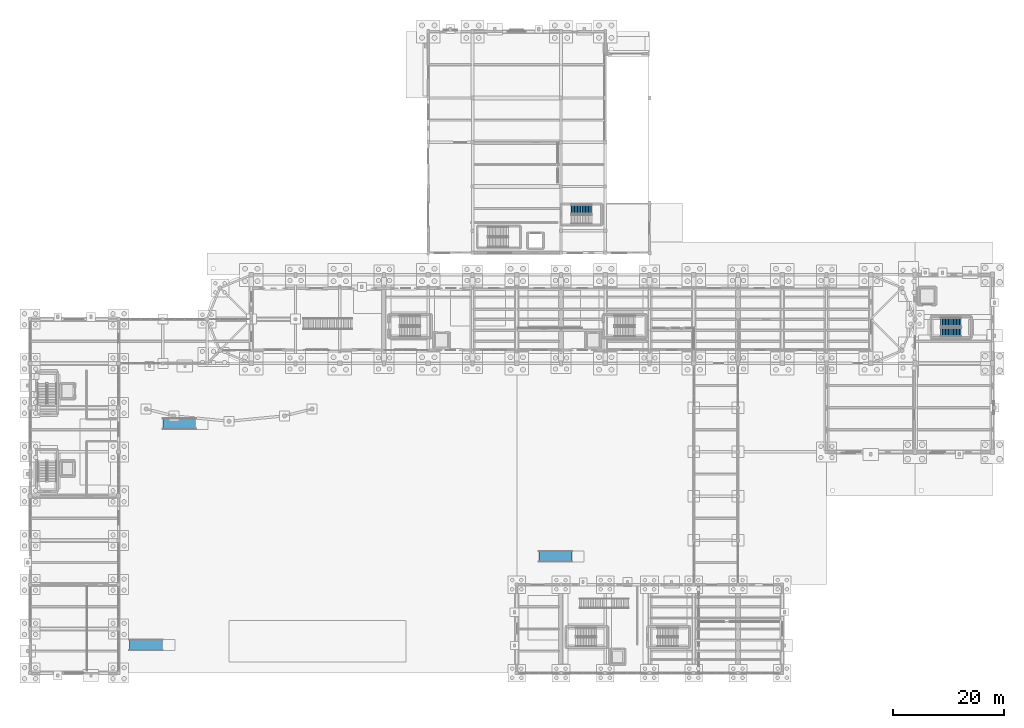
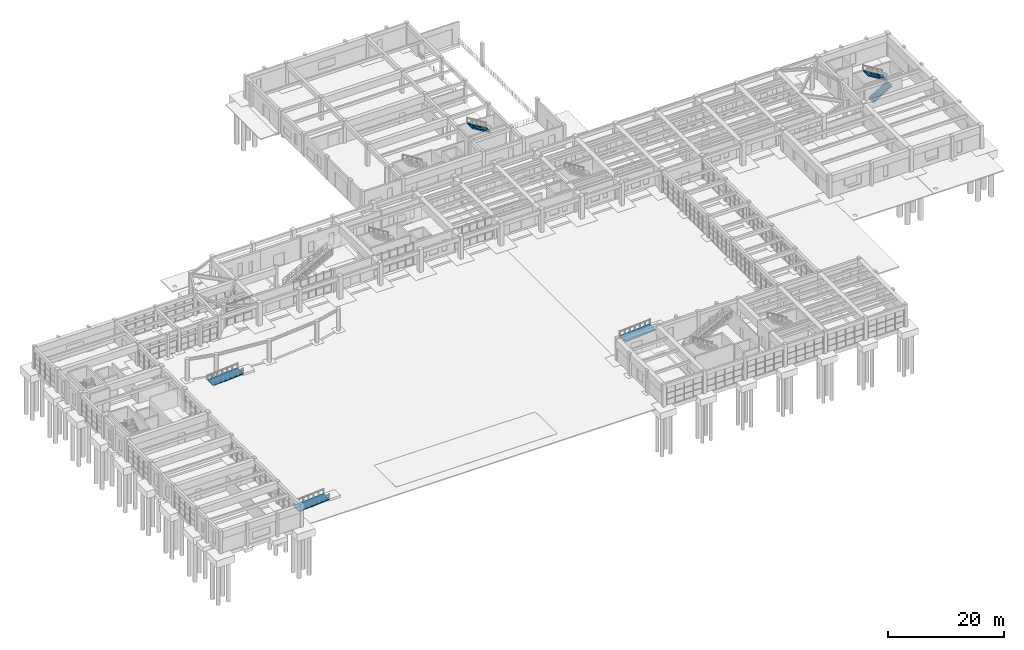
# One storey, part 56 of 68: 3 ramp flights, 3 stair flights, 5 elements without a shape of their own.
"""IFC4 building model written with IfcOpenShell, lengths in metres."""

from ifc_helpers import new_model, si_unit, direction, frame, origin, place, context, subcontext, project, spatial, polyline, outline, extrude, material, layer, layer_set, type_object, element, aggregate, save


model = new_model("IFC4")

# Units and contexts
model_context = context("Model", 3, precision=1e-05, world=origin(), true_north=direction((0.0, 1.0)))
body_context = subcontext(model_context, "Body", "Model", "MODEL_VIEW")
ifc_project = project(units=[si_unit("LENGTHUNIT", "METRE"), si_unit("AREAUNIT", "SQUARE_METRE"), si_unit("VOLUMEUNIT", "CUBIC_METRE"), si_unit("PLANEANGLEUNIT", "RADIAN"), si_unit("MASSUNIT", "GRAM", prefix="KILO")], contexts=[model_context])

# Site, building, storey
site_placement = place(None, origin())
site = spatial("IfcSite", under=ifc_project, at=site_placement, CompositionType="ELEMENT")
building_placement = place(site_placement, origin())
building = spatial("IfcBuilding", under=site, at=building_placement, Name="Serraluz Foothill Cableway Terminal", CompositionType="ELEMENT")
storey_placement = place(building_placement, origin())
storey = spatial("IfcBuildingStorey", under=building, at=storey_placement, Name="L00", CompositionType="ELEMENT", Elevation=0.0)

# Stair, stair flights
ifc_material_1 = material(Name="Concrete C35/45 (f'c 35 MPa)", Category="concrete")
stair_type = type_object("IfcStairType", Name="TYP-ST-DOG-166-48", PredefinedType="HALF_TURN_STAIR", material=ifc_material_1)
stair_1_placement = place(storey_placement, origin())
stair_1 = element("IfcStair", 1, at=stair_1_placement, inside=storey, type_object=stair_type, Name="L00 ST-05", PredefinedType="HALF_TURN_STAIR")
stair_flight_type = type_object("IfcStairFlightType", Name="TYP-FL-DOG-166-48", PredefinedType="STRAIGHT", material=ifc_material_1)
stair_flight_1_placement = place(storey_placement, frame((164.659912109375, 61.6298828125, 0.0), z_axis=(0.0, 0.0, 1.0), x_axis=(1.0, 0.0, 0.0)))
stair_flight_1 = element("IfcStairFlight", 2, at=stair_flight_1_placement, type_object=stair_flight_type, Name="ST-05 flight 1", NumberOfRisers=14, NumberOfTreads=13, PredefinedType="STRAIGHT", RiserHeight=0.171428571, TreadLength=0.285, context=body_context, shape_type="SweptSolid", body=[
    extrude(outline(polyline([(-0.02490234375, -0.06005859375), (-0.02490234375, 0.0), (0.0, 0.0), (0.0, 0.17138671875), (0.284912109375, 0.17138671875), (0.284912109375, 0.3427734375), (0.570068359375, 0.3427734375), (0.570068359375, 0.514404296875), (0.85498046875, 0.514404296875), (0.85498046875, 0.685791015625), (1.139892578125, 0.685791015625), (1.139892578125, 0.857177734375), (1.425048828125, 0.857177734375), (1.425048828125, 1.028564453125), (1.7099609375, 1.028564453125), (1.7099609375, 1.199951171875), (1.9951171875, 1.199951171875), (1.9951171875, 1.371337890625), (2.280029296875, 1.371337890625), (2.280029296875, 1.54296875), (2.56494140625, 1.54296875), (2.56494140625, 1.71435546875), (2.85009765625, 1.71435546875), (2.85009765625, 1.8857421875), (3.135009765625, 1.8857421875), (3.135009765625, 2.05712890625), (3.419921875, 2.05712890625), (3.419921875, 2.228515625), (3.705078125, 2.228515625), (3.705078125, 2.39990234375), (3.72998046875, 2.39990234375), (3.72998046875, 2.0537109375), (0.290771484375, -0.06005859375), (-0.02490234375, -0.06005859375)])), frame((0.0, 0.830078125, 0.0), z_axis=(0.0, -1.0, 0.0), x_axis=(1.0, 0.0, 0.0)), (0.0, 0.0, 1.0), 1.659912109375),
])
stair_flight_2_placement = place(storey_placement, frame((168.364990234375, 63.449951171875, 2.39990234375), z_axis=(0.0, 0.0, 1.0), x_axis=(-1.0, 0.0, 0.0)))
stair_flight_2 = element("IfcStairFlight", 3, at=stair_flight_2_placement, type_object=stair_flight_type, Name="ST-05 flight 2", NumberOfRisers=14, NumberOfTreads=13, PredefinedType="STRAIGHT", RiserHeight=0.171428571, TreadLength=0.285, context=body_context, shape_type="SweptSolid", body=[
    extrude(outline(polyline([(-0.02490234375, -0.06005859375), (-0.02490234375, 0.0), (0.0, 0.0), (0.0, 0.17138671875), (0.284912109375, 0.17138671875), (0.284912109375, 0.3427734375), (0.570068359375, 0.3427734375), (0.570068359375, 0.514404296875), (0.85498046875, 0.514404296875), (0.85498046875, 0.685791015625), (1.139892578125, 0.685791015625), (1.139892578125, 0.857177734375), (1.425048828125, 0.857177734375), (1.425048828125, 1.028564453125), (1.7099609375, 1.028564453125), (1.7099609375, 1.199951171875), (1.9951171875, 1.199951171875), (1.9951171875, 1.371337890625), (2.280029296875, 1.371337890625), (2.280029296875, 1.54296875), (2.56494140625, 1.54296875), (2.56494140625, 1.71435546875), (2.85009765625, 1.71435546875), (2.85009765625, 1.8857421875), (3.135009765625, 1.8857421875), (3.135009765625, 2.05712890625), (3.419921875, 2.05712890625), (3.419921875, 2.228515625), (3.705078125, 2.228515625), (3.705078125, 2.39990234375), (3.72998046875, 2.39990234375), (3.72998046875, 2.0537109375), (0.290771484375, -0.06005859375), (-0.02490234375, -0.06005859375)])), frame((0.0, 0.830078125, 0.0), z_axis=(0.0, -1.0, 0.0), x_axis=(1.0, 0.0, 0.0)), (0.0, 0.0, 1.0), 1.659912109375),
])
aggregate(stair_1, [stair_flight_1, stair_flight_2])

# Stair, stair flight
stair_2_placement = place(storey_placement, origin())
stair_2 = element("IfcStair", 4, at=stair_2_placement, inside=storey, type_object=stair_type, Name="L00 ST-09", PredefinedType="HALF_TURN_STAIR")
stair_flight_3_placement = place(storey_placement, frame((101.56494140625, 83.85009765625, 2.39990234375), z_axis=(0.0, 0.0, 1.0), x_axis=(-1.0, 0.0, 0.0)))
stair_flight_3 = element("IfcStairFlight", 5, at=stair_flight_3_placement, type_object=stair_flight_type, Name="ST-09 flight 2", NumberOfRisers=14, NumberOfTreads=13, PredefinedType="STRAIGHT", RiserHeight=0.171428571, TreadLength=0.285, context=body_context, shape_type="SweptSolid", body=[
    extrude(outline(polyline([(-0.02490234375, -0.06005859375), (-0.02490234375, 0.0), (0.0, 0.0), (0.0, 0.17138671875), (0.284912109375, 0.17138671875), (0.284912109375, 0.3427734375), (0.570068359375, 0.3427734375), (0.570068359375, 0.514404296875), (0.85498046875, 0.514404296875), (0.85498046875, 0.685791015625), (1.139892578125, 0.685791015625), (1.139892578125, 0.857177734375), (1.425048828125, 0.857177734375), (1.425048828125, 1.028564453125), (1.7099609375, 1.028564453125), (1.7099609375, 1.199951171875), (1.9951171875, 1.199951171875), (1.9951171875, 1.371337890625), (2.280029296875, 1.371337890625), (2.280029296875, 1.54296875), (2.56494140625, 1.54296875), (2.56494140625, 1.71435546875), (2.85009765625, 1.71435546875), (2.85009765625, 1.8857421875), (3.135009765625, 1.8857421875), (3.135009765625, 2.05712890625), (3.419921875, 2.05712890625), (3.419921875, 2.228515625), (3.705078125, 2.228515625), (3.705078125, 2.39990234375), (3.72998046875, 2.39990234375), (3.72998046875, 2.0537109375), (0.290771484375, -0.06005859375), (-0.02490234375, -0.06005859375)])), frame((0.0, 0.830078125, 0.0), z_axis=(0.0, -1.0, 0.0), x_axis=(1.0, 0.0, 0.0)), (0.0, 0.0, 1.0), 1.659912109375),
])
aggregate(stair_2, [stair_flight_3])

# Ramp, ramp flight
ifc_material_2 = material(Name="Concrete C28/35 (f'c 28 MPa)", Category="concrete")
ramp_type = type_object("IfcRampType", Name="TYP-RMP-PED-200", PredefinedType="STRAIGHT_RUN_RAMP", material=ifc_material_2)
ramp_1_placement = place(storey_placement, origin())
ramp_1 = element("IfcRamp", 6, at=ramp_1_placement, inside=storey, type_object=ramp_type, Name="South Arrival Plaza Accessible Ramp RMP-02", PredefinedType="STRAIGHT_RUN_RAMP")
ifc_layer = layer(ifc_material_2, 0.199951171875, Name="Concrete C28/35 (f'c 28 MPa)", Category="concrete")
ifc_layer_set = layer_set([ifc_layer], Name="Concrete C28/35 (f'c 28 MPa)")
ramp_flight_type = type_object("IfcRampFlightType", Name="TYP-RFL-PED-200", PredefinedType="STRAIGHT", material=ifc_layer_set)
ramp_flight_1_placement = place(storey_placement, frame((18.0, 5.10009765625, 0.0), z_axis=(0.0, 0.0, 1.0), x_axis=(1.0, 0.0, 0.0)))
ramp_flight_1 = element("IfcRampFlight", 7, at=ramp_flight_1_placement, type_object=ramp_flight_type, Name="South Arrival Plaza Accessible Ramp RMP-02 flight 1", PredefinedType="STRAIGHT", context=body_context, shape_type="SweptSolid", body=[
    extrude(outline(polyline([(0.0, -0.200439453125), (6.0, 0.24951171875), (6.0, 0.449951171875), (0.0, 0.0), (0.0, -0.200439453125)])), frame((0.0, 1.0, 0.0), z_axis=(0.0, -1.0, 0.0), x_axis=(1.0, 0.0, 0.0)), (0.0, 0.0, 1.0), 2.0),
])
aggregate(ramp_1, [ramp_flight_1])

ramp_2_placement = place(storey_placement, origin())
ramp_2 = element("IfcRamp", 8, at=ramp_2_placement, inside=storey, type_object=ramp_type, Name="Ticket Concourse Accessible Ramp RMP-03", PredefinedType="STRAIGHT_RUN_RAMP")
ramp_flight_2_placement = place(storey_placement, frame((24.0, 45.10009765625, 0.0), z_axis=(0.0, 0.0, 1.0), x_axis=(1.0, 0.0, 0.0)))
ramp_flight_2 = element("IfcRampFlight", 9, at=ramp_flight_2_placement, type_object=ramp_flight_type, Name="Ticket Concourse Accessible Ramp RMP-03 flight 1", PredefinedType="STRAIGHT", context=body_context, shape_type="SweptSolid", body=[
    extrude(outline(polyline([(0.0, -0.200439453125), (6.0, 0.24951171875), (6.0, 0.449951171875), (0.0, 0.0), (0.0, -0.200439453125)])), frame((0.0, 1.0, 0.0), z_axis=(0.0, -1.0, 0.0), x_axis=(1.0, 0.0, 0.0)), (0.0, 0.0, 1.0), 2.0),
])
aggregate(ramp_2, [ramp_flight_2])

ramp_3_placement = place(storey_placement, origin())
ramp_3 = element("IfcRamp", 10, at=ramp_3_placement, inside=storey, type_object=ramp_type, Name="Courtyard Cloister Accessible Ramp RMP-04", PredefinedType="STRAIGHT_RUN_RAMP")
ramp_flight_3_placement = place(storey_placement, frame((92.0, 21.10009765625, 0.0), z_axis=(0.0, 0.0, 1.0), x_axis=(1.0, 0.0, 0.0)))
ramp_flight_3 = element("IfcRampFlight", 11, at=ramp_flight_3_placement, type_object=ramp_flight_type, Name="Courtyard Cloister Accessible Ramp RMP-04 flight 1", PredefinedType="STRAIGHT", context=body_context, shape_type="SweptSolid", body=[
    extrude(outline(polyline([(0.0, -0.200439453125), (6.0, 0.24951171875), (6.0, 0.449951171875), (0.0, 0.0), (0.0, -0.200439453125)])), frame((0.0, 1.0, 0.0), z_axis=(0.0, -1.0, 0.0), x_axis=(1.0, 0.0, 0.0)), (0.0, 0.0, 1.0), 2.0),
])
aggregate(ramp_3, [ramp_flight_3])

save(model, "model.ifc")
